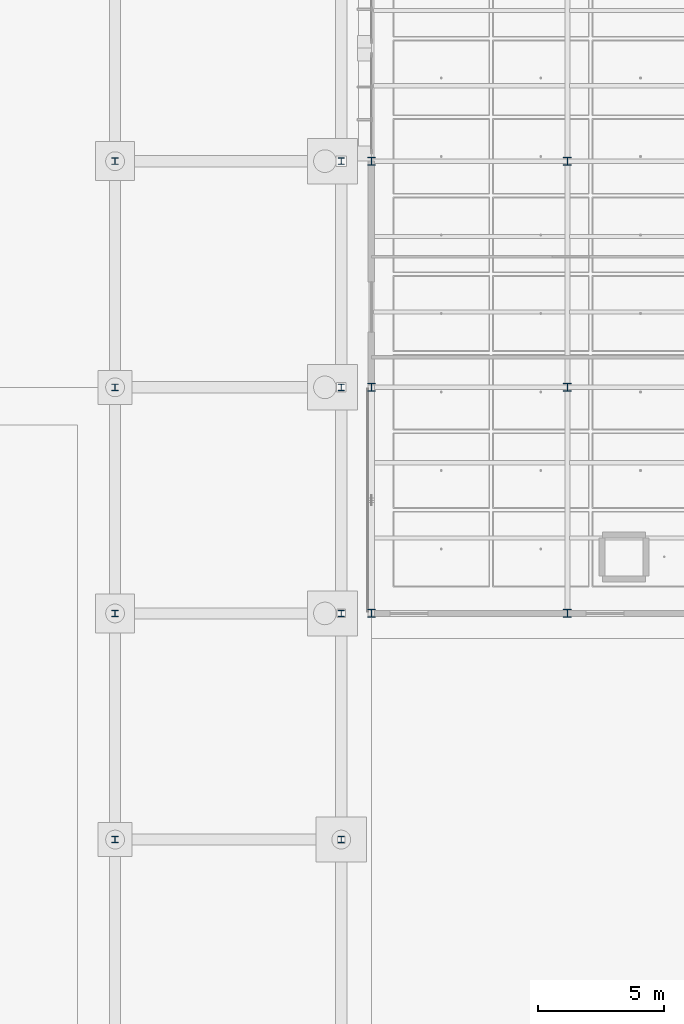
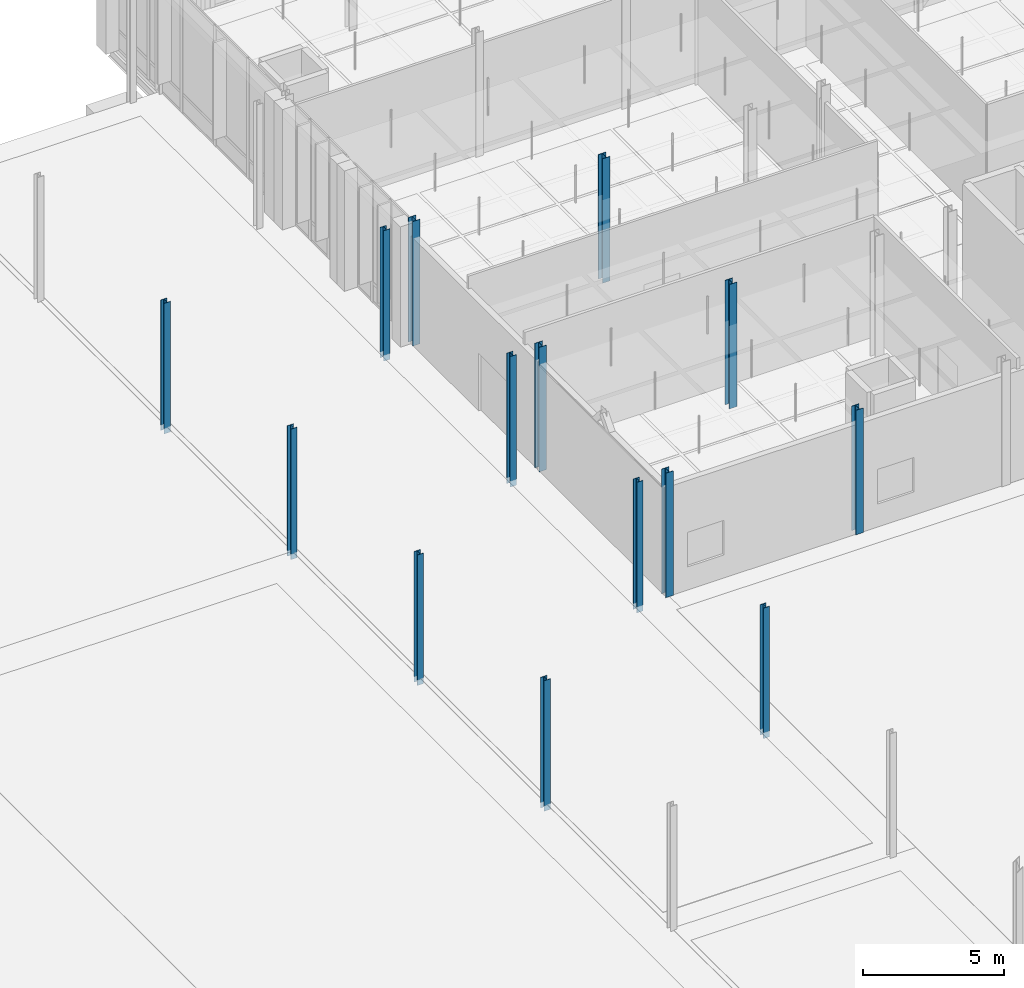
# One storey, part 17 of 180: 14 columns.
"""IFC4 building model written with IfcOpenShell, lengths in metres."""

import ifcopenshell
import ifcopenshell.guid

model = None  # the IFC model being written
_history = None  # IfcOwnerHistory: only IFC2X3 demands one
_inside = {}  # id of a spatial element -> (the spatial element, [elements in it])
_under = {}  # id of a project, library or spatial element -> (it, [spatial elements below it])
_declared = {}  # id of a project -> (the project, [libraries it declares])
_typed = {}  # id of a type object -> (the type object, [elements of that type])
_made_of = {}  # id of a material, layer set ... -> (it, [elements and type objects made of it])


def new_model(schema):
    """Start an empty IFC model of exactly this schema.

    Asked for "IFC4X3", IfcOpenShell would pick the latest addendum, in which some entities
    have other attributes; the version numbers below select the first issue.
    IFC2X3 requires an IfcOwnerHistory on every rooted entity: one is made here for all.
    """
    global model, _history
    if schema == "IFC4X3":
        model = ifcopenshell.file(schema_version=(4, 3, 0, 0))
    else:
        model = ifcopenshell.file(schema=schema)
    _inside.clear()
    _under.clear()
    _declared.clear()
    _typed.clear()
    _made_of.clear()
    _history = None
    if model.schema == "IFC2X3":
        org = make("IfcOrganization", Name="unknown")
        user = make(
            "IfcPersonAndOrganization",
            ThePerson=make("IfcPerson", FamilyName="unknown"),
            TheOrganization=org,
        )
        app = make(
            "IfcApplication",
            ApplicationDeveloper=org,
            Version="unknown",
            ApplicationFullName="unknown",
            ApplicationIdentifier="unknown",
        )
        _history = make(
            "IfcOwnerHistory",
            OwningUser=user,
            OwningApplication=app,
            ChangeAction="ADDED",
            CreationDate=0,
        )
    return model


def make(cls, **values):
    """One entity of the class cls with the attributes given. An attribute that is None is left unset."""
    return model.create_entity(
        cls, **{name: value for name, value in values.items() if value is not None}
    )


def rooted(cls, **values):
    """An entity with a GlobalId (a new one), such as an element, a storey or a relation."""
    return make(cls, GlobalId=ifcopenshell.guid.new(), OwnerHistory=_history, **values)


def si_unit(unit_type, name, prefix=None):
    """IfcSIUnit, for example si_unit("LENGTHUNIT", "METRE", prefix="MILLI")."""
    return make("IfcSIUnit", UnitType=unit_type, Prefix=prefix, Name=name)


def assignment(units):
    """IfcUnitAssignment: the units of a project."""
    return None if units is None else make("IfcUnitAssignment", Units=units)


def point(xyz):
    """IfcCartesianPoint."""
    return None if xyz is None else make("IfcCartesianPoint", Coordinates=xyz)


def direction(xyz):
    """IfcDirection."""
    return None if xyz is None else make("IfcDirection", DirectionRatios=xyz)


def frame(location, z_axis=None, x_axis=None):
    """IfcAxis2Placement3D, a coordinate frame: its origin and axes. An axis left out is left unset."""
    return make(
        "IfcAxis2Placement3D",
        Location=point(location),
        Axis=direction(z_axis),
        RefDirection=direction(x_axis),
    )


def frame_2d(location, x_axis=None):
    """IfcAxis2Placement2D, a coordinate frame in the plane: its origin and x axis."""
    return make(
        "IfcAxis2Placement2D", Location=point(location), RefDirection=direction(x_axis)
    )


def origin():
    """The frame at (0, 0, 0) with its axes left unset."""
    return frame((0.0, 0.0, 0.0))


def origin_2d():
    """The frame at (0, 0) in the plane with its x axis left unset."""
    return frame_2d((0.0, 0.0))


def place(relative_to, where):
    """IfcLocalPlacement: puts the frame where relative to a parent placement (None: the world)."""
    return make(
        "IfcLocalPlacement", PlacementRelTo=relative_to, RelativePlacement=where
    )


def context(
    kind, dimensions, precision=None, world=None, true_north=None, identifier=None
):
    """IfcGeometricRepresentationContext, for example the 3D "Model" context."""
    return make(
        "IfcGeometricRepresentationContext",
        ContextIdentifier=identifier,
        ContextType=kind,
        CoordinateSpaceDimension=dimensions,
        Precision=precision,
        WorldCoordinateSystem=world,
        TrueNorth=true_north,
    )


def subcontext(parent, identifier, kind, view, scale=None):
    """IfcGeometricRepresentationSubContext, for example "Body" below "Model"."""
    return make(
        "IfcGeometricRepresentationSubContext",
        ContextIdentifier=identifier,
        ContextType=kind,
        ParentContext=parent,
        TargetScale=scale,
        TargetView=view,
    )


def project(units=None, contexts=None):
    """IfcProject with its units and contexts."""
    return rooted(
        "IfcProject",
        Name="project",
        RepresentationContexts=contexts,
        UnitsInContext=assignment(units),
    )


def spatial(cls, under=None, at=None, **own):
    """A site, building, storey or space (cls), placed at a placement, below another one or the project."""
    s = rooted(cls, ObjectPlacement=at, **own)
    if under is not None:
        _under.setdefault(under.id(), (under, []))[1].append(s)
    return s


def profile(cls, at=None, kind="AREA", **sizes):
    """A parametric profile (cls). Its sizes go by their IFC names, for example OverallWidth=200.0."""
    return make(cls, ProfileType=kind, Position=at, **sizes)


def i_section(**sizes):
    """IfcIShapeProfileDef."""
    return profile("IfcIShapeProfileDef", **sizes)


def extrude(swept, where, along, depth):
    """IfcExtrudedAreaSolid: the profile swept, set in the frame where, extruded along a direction by depth."""
    return make(
        "IfcExtrudedAreaSolid",
        SweptArea=swept,
        Position=where,
        ExtrudedDirection=direction(along),
        Depth=depth,
    )


def shape(context_of_items, identifier, shape_type, items):
    """IfcShapeRepresentation: the items that make up one representation, for example the "Body"."""
    return make(
        "IfcShapeRepresentation",
        ContextOfItems=context_of_items,
        RepresentationIdentifier=identifier,
        RepresentationType=shape_type,
        Items=items,
    )


def material(Name=None, Category=None):
    """IfcMaterial."""
    return make("IfcMaterial", Name=Name, Category=Category)


def material_profile(
    of_material, cross_section, Name=None, Category=None, Priority=None
):
    """IfcMaterialProfile: a cross section and its material."""
    return make(
        "IfcMaterialProfile",
        Name=Name,
        Material=of_material,
        Profile=cross_section,
        Priority=Priority,
        Category=Category,
    )


def profile_set(profiles, Name=None, composite=None):
    """IfcMaterialProfileSet."""
    return make(
        "IfcMaterialProfileSet",
        Name=Name,
        MaterialProfiles=profiles,
        CompositeProfile=composite,
    )


def made_of(thing, what):
    """Note that an element or type object is made of a material, layer set ...; save() writes the relation."""
    if what is not None:
        _made_of.setdefault(what.id(), (what, []))[1].append(thing)
    return thing


def type_object(cls, material=None, **own):
    """A type object (cls), such as IfcWallType, which elements share."""
    return made_of(rooted(cls, **own), material)


def element(
    cls,
    number,
    at=None,
    inside=None,
    cuts=None,
    type_object=None,
    material=None,
    context=None,
    identifier="Body",
    shape_type=None,
    held_by="IfcProductDefinitionShape",
    body=None,
    shapes=None,
    **own,
):
    """One element of the class cls, such as IfcWall. Its Tag is "e" and its number.

    at: its placement. inside: the storey or other place that contains it. cuts: it is an
    opening in that element (IfcRelVoidsElement). A single representation is given by context,
    identifier, shape_type and body (its items); several are given by shapes. held_by: the class
    of the entity that holds the representations. save() writes the other relations.
    """
    e = rooted(cls, Tag="e%d" % number, ObjectPlacement=at, **own)
    if body is not None:
        shapes = [shape(context, identifier, shape_type, body)]
    if shapes is not None:
        e.Representation = make(held_by, Representations=shapes)
    if inside is not None:
        _inside.setdefault(inside.id(), (inside, []))[1].append(e)
    if cuts is not None:
        rooted(
            "IfcRelVoidsElement", RelatingBuildingElement=cuts, RelatedOpeningElement=e
        )
    if type_object is not None:
        _typed.setdefault(type_object.id(), (type_object, []))[1].append(e)
    return made_of(e, material)


def aggregate(whole, parts):
    """IfcRelAggregates: a whole, such as a stair, and the parts it consists of."""
    return rooted("IfcRelAggregates", RelatingObject=whole, RelatedObjects=parts)


def save(model, path):
    """Write the relations noted so far, then the file.

    IfcRelAggregates (storeys below a building ...), IfcRelContainedInSpatialStructure (elements
    in a storey), IfcRelDefinesByType, IfcRelAssociatesMaterial and IfcRelDeclares: one each for
    every whole, place, type object, material and project.
    """
    for whole, parts in _under.values():
        aggregate(whole, parts)
    for where, things in _inside.values():
        rooted(
            "IfcRelContainedInSpatialStructure",
            RelatedElements=things,
            RelatingStructure=where,
        )
    for kind, things in _typed.values():
        rooted("IfcRelDefinesByType", RelatedObjects=things, RelatingType=kind)
    for what, things in _made_of.values():
        rooted("IfcRelAssociatesMaterial", RelatedObjects=things, RelatingMaterial=what)
    for by, libraries in _declared.values():
        rooted("IfcRelDeclares", RelatingContext=by, RelatedDefinitions=libraries)
    model.write(path)


model = new_model("IFC4")

# Units and contexts
model_context = context("Model", 3, precision=1e-05, world=origin(), true_north=direction((0.0, 1.0)))
body_context = subcontext(model_context, "Body", "Model", "MODEL_VIEW")
ifc_project = project(units=[si_unit("LENGTHUNIT", "METRE"), si_unit("AREAUNIT", "SQUARE_METRE"), si_unit("VOLUMEUNIT", "CUBIC_METRE"), si_unit("PLANEANGLEUNIT", "RADIAN"), si_unit("MASSUNIT", "GRAM", prefix="KILO"), si_unit("THERMODYNAMICTEMPERATUREUNIT", "KELVIN"), si_unit("POWERUNIT", "WATT")], contexts=[model_context])

# Site, building, storey
site_placement = place(None, origin())
site = spatial("IfcSite", under=ifc_project, at=site_placement, CompositionType="ELEMENT")
building_placement = place(site_placement, origin())
building = spatial("IfcBuilding", under=site, at=building_placement, Name="Tallowbark Science Centre", CompositionType="ELEMENT")
storey_placement = place(building_placement, origin())
storey = spatial("IfcBuildingStorey", under=building, at=storey_placement, Name="L00", CompositionType="ELEMENT", Elevation=0.0)

# Columns
ifc_material = material(Name="Structural Steel Grade 300PLUS (300 MPa)", Category="steel")
ifc_material_profile_1 = material_profile(ifc_material, i_section(OverallWidth=0.256103515625, OverallDepth=0.260009765625, WebThickness=0.010498046875, FlangeThickness=0.017333984375, FilletRadius=0.013916015625, at=origin_2d()), Name="250UC89.5")
ifc_profile_set_1 = profile_set([ifc_material_profile_1], Name="Structural Steel Grade 300PLUS (300 MPa)")
column_type_1 = type_object("IfcColumnType", Name="COL-UC250A", PredefinedType="COLUMN", material=ifc_profile_set_1)
for number, where, z_axis, x_axis, name in (
    (1, (45.0, 63.0, -0.260009765625), (0.0, 0.0, 1.0), (1.0, 0.0, 0.0), "Column PAS-W07 L00"),
    (2, (54.0, 63.0, -0.260009765625), (0.0, 0.0, 1.0), (1.0, 0.0, 0.0), "Column PAS-E07 L00"),
    (3, (45.0, 72.0, -0.260009765625), (0.0, 0.0, 1.0), (1.0, 0.0, 0.0), "Column PAS-W08 L00"),
    (4, (54.0, 72.0, -0.260009765625), (0.0, 0.0, 1.0), (1.0, 0.0, 0.0), "Column PAS-E08 L00"),
    (5, (45.0, 81.0, -0.260009765625), (0.0, 0.0, 1.0), (1.0, 0.0, 0.0), "Column PAS-W09 L00"),
    (6, (54.0, 81.0, -0.260009765625), (0.0, 0.0, 1.0), (1.0, 0.0, 0.0), "Column PAS-E09 L00"),
    (7, (45.0, 90.0, -0.260009765625), (0.0, 0.0, 1.0), (1.0, 0.0, 0.0), "Column PAS-W10 L00"),
    (8, (54.0, 90.0, -0.260009765625), (0.0, 0.0, 1.0), (1.0, 0.0, 0.0), "Column PAS-E10 L00"),
):
    element("IfcColumn", number, at=place(storey_placement, frame(where, z_axis=z_axis, x_axis=x_axis)), inside=storey, type_object=column_type_1, Name=name, PredefinedType="COLUMN", context=body_context, shape_type="SweptSolid", body=[
        extrude(i_section(OverallWidth=0.256103515625, OverallDepth=0.260009765625, WebThickness=0.010498046875, FlangeThickness=0.017333984375, FilletRadius=0.013916015625, at=origin_2d()), origin(), (0.0, 0.0, 1.0), 5.659912109375),
    ])
ifc_material_profile_2 = material_profile(ifc_material, i_section(OverallWidth=0.30908203125, OverallDepth=0.320556640625, WebThickness=0.013916015625, FlangeThickness=0.021728515625, FilletRadius=0.0166015625, at=origin_2d()), Name="310UC137")
ifc_profile_set_2 = profile_set([ifc_material_profile_2], Name="Structural Steel Grade 300PLUS (300 MPa)")
column_type_2 = type_object("IfcColumnType", Name="COL-UC310B", PredefinedType="COLUMN", material=ifc_profile_set_2)
for number, where, z_axis, x_axis, name in (
    (9, (63.0, 72.0, 0.0), (0.0, 0.0, 1.0), (1.0, 0.0, 0.0), "Column LAB-1_0 L00"),
    (10, (63.0, 81.0, 0.0), (0.0, 0.0, 1.0), (1.0, 0.0, 0.0), "Column LAB-1_1 L00"),
    (11, (63.0, 90.0, 0.0), (0.0, 0.0, 1.0), (1.0, 0.0, 0.0), "Column LAB-1_2 L00"),
):
    element("IfcColumn", number, at=place(storey_placement, frame(where, z_axis=z_axis, x_axis=x_axis)), inside=storey, type_object=column_type_2, Name=name, PredefinedType="COLUMN", context=body_context, shape_type="SweptSolid", body=[
        extrude(i_section(OverallWidth=0.30908203125, OverallDepth=0.320556640625, WebThickness=0.013916015625, FlangeThickness=0.021728515625, FilletRadius=0.0166015625, at=origin_2d()), origin(), (0.0, 0.0, 1.0), 5.39990234375),
    ])
ifc_material_profile_3 = material_profile(ifc_material, i_section(OverallWidth=0.307373046875, OverallDepth=0.314697265625, WebThickness=0.011962890625, FlangeThickness=0.018798828125, FilletRadius=0.0166015625, at=origin_2d()), Name="310UC118")
ifc_profile_set_3 = profile_set([ifc_material_profile_3], Name="Structural Steel Grade 300PLUS (300 MPa)")
column_type_3 = type_object("IfcColumnType", Name="COL-UC310C", PredefinedType="COLUMN", material=ifc_profile_set_3)
for number, where, z_axis, x_axis, name in (
    (12, (55.199951171875, 72.0, 0.0), (0.0, 0.0, 1.0), (1.0, 0.0, 0.0), "Column LAB-0_0 L00"),
    (13, (55.199951171875, 81.0, 0.0), (0.0, 0.0, 1.0), (1.0, 0.0, 0.0), "Column LAB-0_1 L00"),
    (14, (55.199951171875, 90.0, 0.0), (0.0, 0.0, 1.0), (1.0, 0.0, 0.0), "Column LAB-0_2 L00"),
):
    element("IfcColumn", number, at=place(storey_placement, frame(where, z_axis=z_axis, x_axis=x_axis)), inside=storey, type_object=column_type_3, Name=name, PredefinedType="COLUMN", context=body_context, shape_type="SweptSolid", body=[
        extrude(i_section(OverallWidth=0.307373046875, OverallDepth=0.314697265625, WebThickness=0.011962890625, FlangeThickness=0.018798828125, FilletRadius=0.0166015625, at=origin_2d()), origin(), (0.0, 0.0, 1.0), 5.39990234375),
    ])

save(model, "model.ifc")
